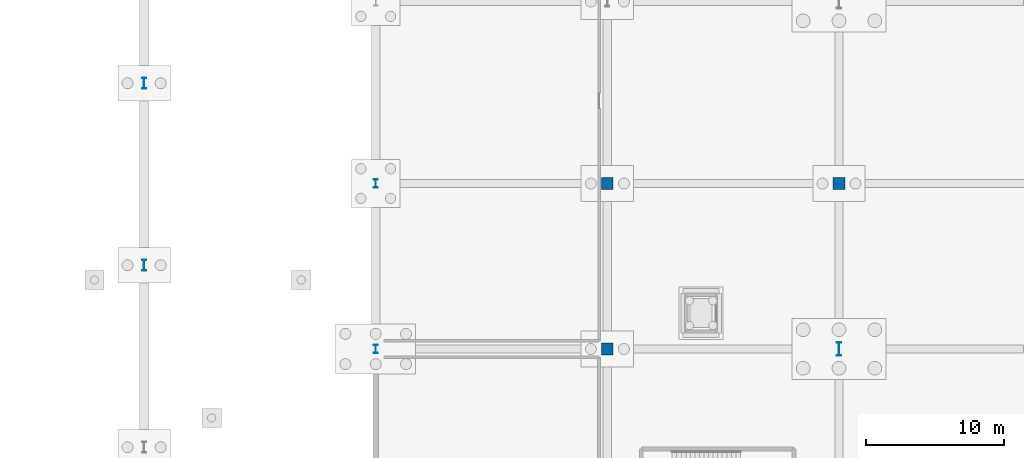
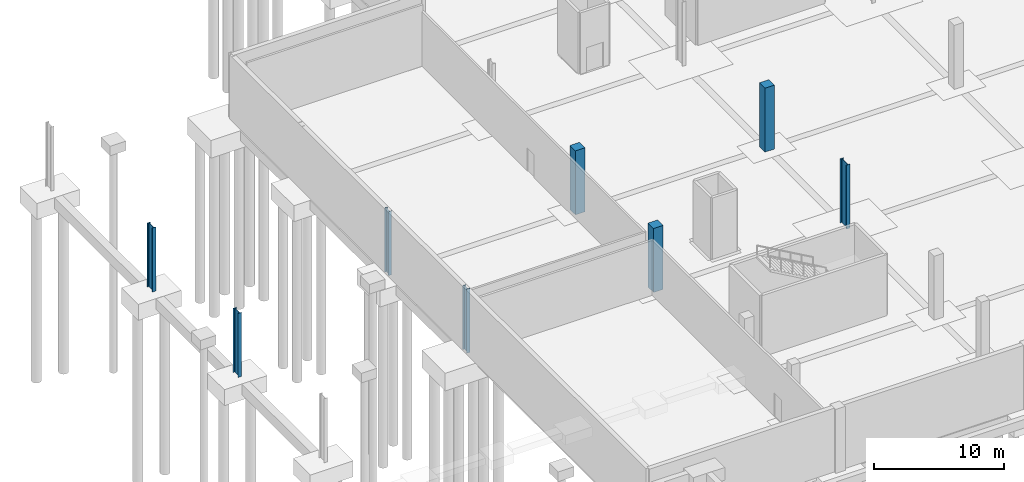
# One storey, part 9 of 46: 8 columns.
"""IFC4 building model written with IfcOpenShell, lengths in metres."""

from ifc_helpers import new_model, si_unit, direction, frame, origin, origin_2d, place, context, subcontext, project, spatial, rectangle, i_section, extrude, material, material_profile, profile_set, type_object, element, save


model = new_model("IFC4")

# Units and contexts
model_context = context("Model", 3, precision=1e-05, world=origin(), true_north=direction((0.0, 1.0)))
body_context = subcontext(model_context, "Body", "Model", "MODEL_VIEW")
ifc_project = project(units=[si_unit("LENGTHUNIT", "METRE"), si_unit("AREAUNIT", "SQUARE_METRE"), si_unit("VOLUMEUNIT", "CUBIC_METRE"), si_unit("PLANEANGLEUNIT", "RADIAN"), si_unit("MASSUNIT", "GRAM", prefix="KILO")], contexts=[model_context])

# Site, building, storey
site_placement = place(None, origin())
site = spatial("IfcSite", under=ifc_project, at=site_placement, CompositionType="ELEMENT")
building_placement = place(site_placement, origin())
building = spatial("IfcBuilding", under=site, at=building_placement, Name="Kimbaza Rail Terminus", CompositionType="ELEMENT")
storey_placement = place(building_placement, frame((0.0, 0.0, -6.0)))
storey = spatial("IfcBuildingStorey", under=building, at=storey_placement, Name="B1", CompositionType="ELEMENT", Elevation=-6.0)

# Columns
ifc_material_1 = material(Name="Steel S355", Category="steel")
ifc_material_profile_1 = material_profile(ifc_material_1, i_section(OverallWidth=0.300048828125, OverallDepth=0.60009765625, WebThickness=0.015380859375, FlangeThickness=0.030029296875, FilletRadius=0.027099609375, at=origin_2d()), Name="HEB 600")
ifc_profile_set_1 = profile_set([ifc_material_profile_1], Name="Steel S355")
column_type_1 = type_object("IfcColumnType", Name="STR-COL-HEB600", PredefinedType="COLUMN", material=ifc_profile_set_1)
for number, where, z_axis, x_axis, name in (
    (1, (38.39990234375, 55.0, 0.0), (0.0, 0.0, 1.0), (1.0, 0.0, 0.0), "Concourse Outer Wing Column B1"),
    (2, (38.39990234375, 67.0, 0.0), (0.0, 0.0, 1.0), (1.0, 0.0, 0.0), "Concourse Outer Wing Column B1"),
):
    element("IfcColumn", number, at=place(storey_placement, frame(where, z_axis=z_axis, x_axis=x_axis)), inside=storey, type_object=column_type_1, Name=name, PredefinedType="COLUMN", context=body_context, shape_type="SweptSolid", body=[
        extrude(i_section(OverallWidth=0.300048828125, OverallDepth=0.60009765625, WebThickness=0.015380859375, FlangeThickness=0.030029296875, FilletRadius=0.027099609375, at=origin_2d()), origin(), (0.0, 0.0, 1.0), 6.0),
    ])
ifc_material_2 = material(Name="Steel S355", Category="steel")
ifc_material_profile_2 = material_profile(ifc_material_2, i_section(OverallWidth=0.302001953125, OverallDepth=1.008056640625, WebThickness=0.02099609375, FlangeThickness=0.0400390625, FilletRadius=0.030029296875, at=origin_2d()), Name="HEM 1000")
ifc_profile_set_2 = profile_set([ifc_material_profile_2], Name="Steel S355")
column_type_2 = type_object("IfcColumnType", Name="STR-COL-HEM1000", PredefinedType="COLUMN", material=ifc_profile_set_2)
column_placement = place(storey_placement, frame((72.0, 55.0, 0.0), z_axis=(0.0, 0.0, 1.0), x_axis=(1.0, 0.0, 0.0)))
element("IfcColumn", 3, at=column_placement, inside=storey, type_object=column_type_2, Name="Metro Concourse B1 Column (1,2)", PredefinedType="COLUMN", context=body_context, shape_type="SweptSolid", body=[
    extrude(i_section(OverallWidth=0.302001953125, OverallDepth=1.008056640625, WebThickness=0.02099609375, FlangeThickness=0.0400390625, FilletRadius=0.030029296875, at=origin_2d()), origin(), (0.0, 0.0, 1.0), 6.0),
])
ifc_material_3 = material(Name="Steel S355", Category="steel")
ifc_material_profile_3 = material_profile(ifc_material_3, i_section(OverallWidth=0.302978515625, OverallDepth=0.81396484375, WebThickness=0.02099609375, FlangeThickness=0.0400390625, FilletRadius=0.030029296875, at=origin_2d()), Name="HEM 800")
ifc_profile_set_3 = profile_set([ifc_material_profile_3], Name="Steel S355")
column_type_3 = type_object("IfcColumnType", Name="STR-COL-HEM800", PredefinedType="COLUMN", material=ifc_profile_set_3)
for number, where, z_axis, x_axis, name in (
    (4, (21.60009765625, 61.075927734375, 0.0), (0.0, 0.0, 1.0), (1.0, 0.0, 0.0), "Viaduct Pier Column B1 VP-01"),
    (5, (21.60009765625, 74.27587890625, 0.0), (0.0, 0.0, 1.0), (1.0, 0.0, 0.0), "Viaduct Pier Column B1 VP-01"),
):
    element("IfcColumn", number, at=place(storey_placement, frame(where, z_axis=z_axis, x_axis=x_axis)), inside=storey, type_object=column_type_3, Name=name, PredefinedType="COLUMN", context=body_context, shape_type="SweptSolid", body=[
        extrude(i_section(OverallWidth=0.302978515625, OverallDepth=0.81396484375, WebThickness=0.02099609375, FlangeThickness=0.0400390625, FilletRadius=0.030029296875, at=origin_2d()), origin(), (0.0, 0.0, 1.0), 6.0),
    ])
ifc_material_4 = material(Name="Concrete C40/50", Category="concrete")
ifc_material_profile_4 = material_profile(ifc_material_4, rectangle(XDim=0.85009765625, YDim=0.85009765625, at=origin_2d()), Name="RC 850x850")
ifc_profile_set_4 = profile_set([ifc_material_profile_4], Name="Concrete C40/50")
column_type_4 = type_object("IfcColumnType", Name="STR-COL-RC850", PredefinedType="COLUMN", material=ifc_profile_set_4)
for number, where, z_axis, x_axis, name in (
    (6, (55.199951171875, 55.0, 0.0), (0.0, 0.0, 1.0), (1.0, 0.0, 0.0), "Metro Concourse B1 Column (0,2)"),
    (7, (55.199951171875, 67.0, 0.0), (0.0, 0.0, 1.0), (1.0, 0.0, 0.0), "Metro Concourse B1 Column (0,3)"),
    (8, (72.0, 67.0, 0.0), (0.0, 0.0, 1.0), (1.0, 0.0, 0.0), "Metro Concourse B1 Column (1,3)"),
):
    element("IfcColumn", number, at=place(storey_placement, frame(where, z_axis=z_axis, x_axis=x_axis)), inside=storey, type_object=column_type_4, Name=name, PredefinedType="COLUMN", context=body_context, shape_type="SweptSolid", body=[
        extrude(rectangle(XDim=0.85009765625, YDim=0.85009765625, at=origin_2d()), origin(), (0.0, 0.0, 1.0), 6.0),
    ])

save(model, "model.ifc")
